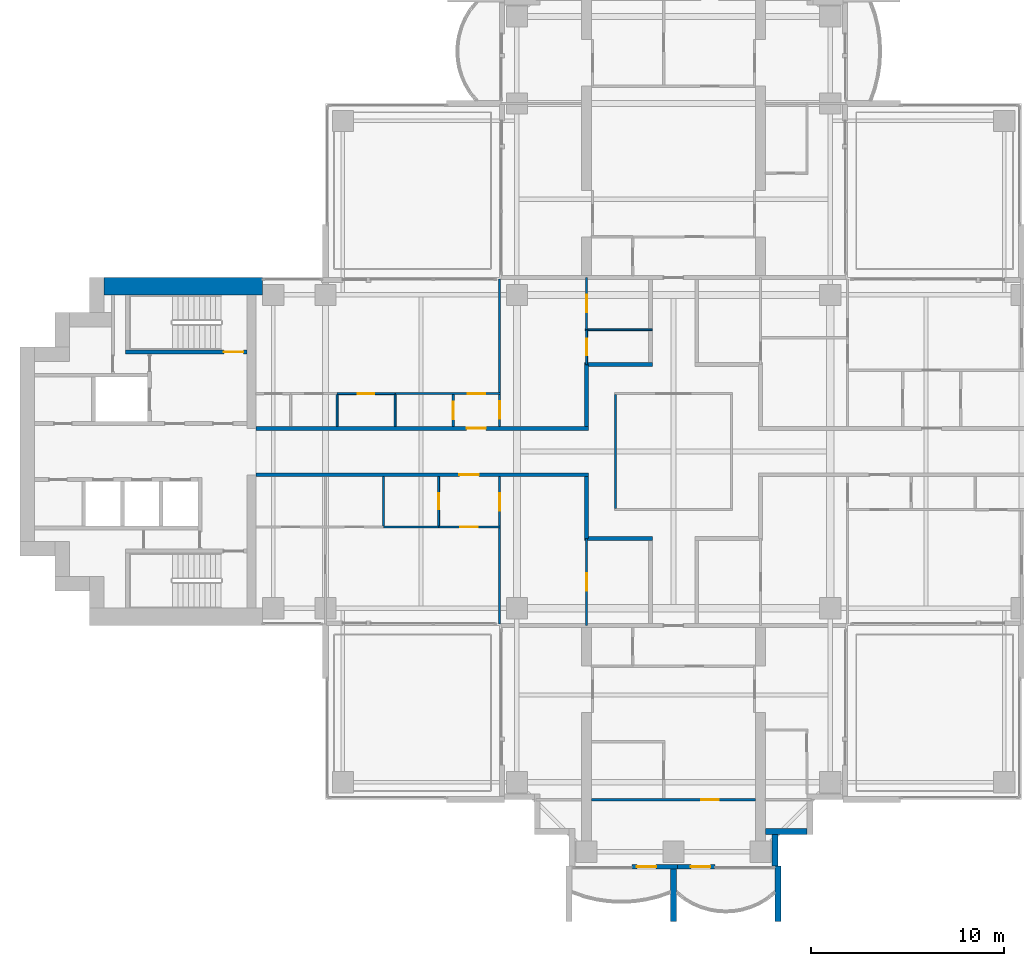
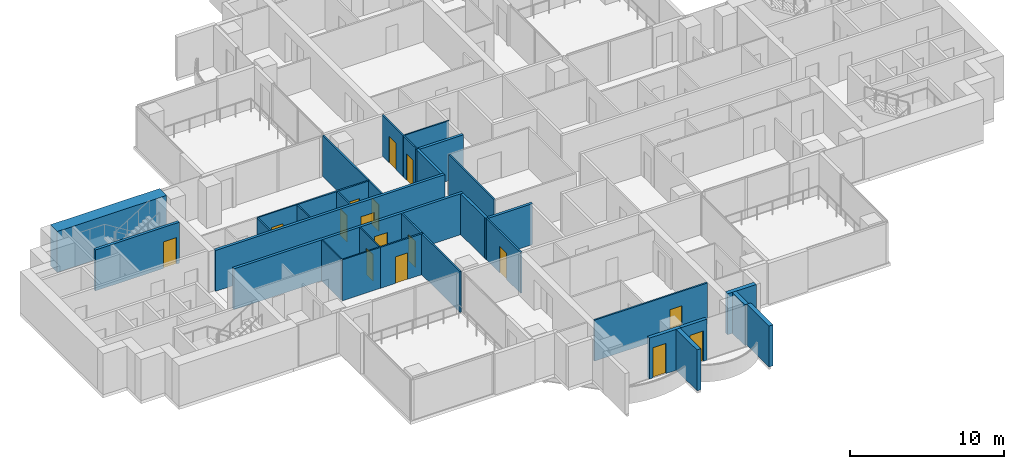
# One storey, part 10 of 18: 31 walls, 16 doors, 16 openings.
"""IFC4 building model written with IfcOpenShell, lengths in metres."""

from ifc_helpers import new_model, si_unit, direction, frame, frame_2d, origin, place, context, subcontext, project, spatial, rectangle, extrude, material, layer, layer_set, type_object, element, fill, save


model = new_model("IFC4")

# Units and contexts
model_context = context("Model", 3, precision=1e-05, world=origin(), true_north=direction((0.0, 1.0)))
body_context = subcontext(model_context, "Body", "Model", "MODEL_VIEW")
ifc_project = project(units=[si_unit("LENGTHUNIT", "METRE"), si_unit("AREAUNIT", "SQUARE_METRE"), si_unit("VOLUMEUNIT", "CUBIC_METRE"), si_unit("PLANEANGLEUNIT", "RADIAN"), si_unit("MASSUNIT", "GRAM", prefix="KILO")], contexts=[model_context])

# Site, building, storey
site_placement = place(None, origin())
site = spatial("IfcSite", under=ifc_project, at=site_placement, CompositionType="ELEMENT")
building_placement = place(site_placement, origin())
building = spatial("IfcBuilding", under=site, at=building_placement, Name="Perihelion Cross Residences", CompositionType="ELEMENT")
storey_placement = place(building_placement, frame((0.0, 0.0, 123.39990234375)))
storey = spatial("IfcBuildingStorey", under=building, at=storey_placement, Name="L29", CompositionType="ELEMENT", Elevation=123.39990234375)

# Wall, opening, door
ifc_material_1 = material(Name="Plasterboard partition")
ifc_layer_1 = layer(ifc_material_1, 0.199951171875)
ifc_layer_set_1 = layer_set([ifc_layer_1], Name="Apartment separation wall 200")
wall_type_1 = type_object("IfcWallType", Name="Apartment separation wall 200", PredefinedType="PARTITIONING", material=ifc_layer_set_1)
wall_1_placement = place(storey_placement, frame((-21.60009765625, 1.199951171875, 0.0), z_axis=(0.0, 0.0, 1.0), x_axis=(1.0, 0.0, 0.0)))
wall_1 = element("IfcWall", 1, at=wall_1_placement, inside=storey, type_object=wall_type_1, Name="Partition L29 W013", PredefinedType="PARTITIONING", context=body_context, shape_type="SweptSolid", body=[
    extrude(rectangle(XDim=17.2001953125, YDim=0.199951171875, at=frame_2d((8.60009765625, 0.0))), origin(), (0.0, 0.0, 1.0), 3.25),
])
opening_1_placement = place(wall_1_placement, frame((10.89990234375, 0.0, 0.0)))
opening_1 = element("IfcOpeningElement", 2, at=opening_1_placement, cuts=wall_1, Name="Opening L29.A47", PredefinedType="OPENING", context=body_context, shape_type="SweptSolid", body=[
    extrude(rectangle(XDim=1.0, YDim=2.10009765625, at=frame_2d((0.5, 1.050048828125))), frame((0.0, 0.10986328125, 0.0), z_axis=(0.0, -1.0, 0.0), x_axis=(1.0, 0.0, 0.0)), (0.0, 0.0, 1.0), 0.219970703125),
])
ifc_material_2 = material(Name="Timber door leaf", Category="wood")
door_type_1 = type_object("IfcDoorType", Name="Flat entrance door 1000 x 2100", OperationType="SINGLE_SWING_LEFT", PredefinedType="DOOR", material=ifc_material_2)
door_1_placement = place(opening_1_placement, origin())
door_1 = element("IfcDoor", 3, at=door_1_placement, inside=storey, type_object=door_type_1, Name="Door L29.A47", OperationType="SINGLE_SWING_LEFT", OverallHeight=2.10009765625, OverallWidth=1.0, PredefinedType="DOOR", context=body_context, shape_type="SweptSolid", body=[
    extrude(rectangle(XDim=1.0, YDim=2.10009765625, at=frame_2d((0.5, 1.050048828125))), frame((0.0, 0.02490234375, 0.0), z_axis=(0.0, -1.0, 0.0), x_axis=(1.0, 0.0, 0.0)), (0.0, 0.0, 1.0), 0.050048828125),
])
fill(opening_1, door_1)

# Walls
wall_2_placement = place(storey_placement, frame((-4.5, 1.300048828125, 0.0), z_axis=(0.0, 0.0, 1.0), x_axis=(0.0, 1.0, 0.0)))
element("IfcWall", 4, at=wall_2_placement, inside=storey, type_object=wall_type_1, Name="Partition L29 W014", PredefinedType="PARTITIONING", context=body_context, shape_type="SweptSolid", body=[
    extrude(rectangle(XDim=3.199951171875, YDim=0.199951171875, at=frame_2d((1.60009765625, 0.0))), origin(), (0.0, 0.0, 1.0), 3.25),
])
wall_3_placement = place(storey_placement, frame((-4.60009765625, 4.5, 0.0), z_axis=(0.0, 0.0, 1.0), x_axis=(1.0, 0.0, 0.0)))
element("IfcWall", 5, at=wall_3_placement, inside=storey, type_object=wall_type_1, Name="Partition L29 W015", PredefinedType="PARTITIONING", context=body_context, shape_type="SweptSolid", body=[
    extrude(rectangle(XDim=3.5, YDim=0.199951171875, at=frame_2d((1.75, 0.0))), origin(), (0.0, 0.0, 1.0), 3.25),
])

# Wall, opening, door
wall_4_placement = place(storey_placement, frame((-4.39990234375, -1.199951171875, 0.0), z_axis=(0.0, 0.0, 1.0), x_axis=(-1.0, 0.0, 0.0)))
wall_4 = element("IfcWall", 6, at=wall_4_placement, inside=storey, type_object=wall_type_1, Name="Partition L29 W017", PredefinedType="PARTITIONING", context=body_context, shape_type="SweptSolid", body=[
    extrude(rectangle(XDim=17.2001953125, YDim=0.199951171875, at=frame_2d((8.60009765625, 0.0))), origin(), (0.0, 0.0, 1.0), 3.25),
])
opening_2_placement = place(wall_4_placement, frame((5.675048828125, 0.0, 0.0)))
opening_2 = element("IfcOpeningElement", 7, at=opening_2_placement, cuts=wall_4, Name="Opening L29.A48", PredefinedType="OPENING", context=body_context, shape_type="SweptSolid", body=[
    extrude(rectangle(XDim=1.0, YDim=2.10009765625, at=frame_2d((0.5, 1.050048828125))), frame((0.0, 0.10986328125, 0.0), z_axis=(0.0, -1.0, 0.0), x_axis=(1.0, 0.0, 0.0)), (0.0, 0.0, 1.0), 0.219970703125),
])
door_2_placement = place(opening_2_placement, origin())
door_2 = element("IfcDoor", 8, at=door_2_placement, inside=storey, type_object=door_type_1, Name="Door L29.A48", OperationType="SINGLE_SWING_LEFT", OverallHeight=2.10009765625, OverallWidth=1.0, PredefinedType="DOOR", context=body_context, shape_type="SweptSolid", body=[
    extrude(rectangle(XDim=1.0, YDim=2.10009765625, at=frame_2d((0.5, 1.050048828125))), frame((0.0, 0.02490234375, 0.0), z_axis=(0.0, -1.0, 0.0), x_axis=(1.0, 0.0, 0.0)), (0.0, 0.0, 1.0), 0.050048828125),
])
fill(opening_2, door_2)

# Walls
wall_5_placement = place(storey_placement, frame((-4.5, -4.5, 0.0), z_axis=(0.0, 0.0, 1.0), x_axis=(0.0, 1.0, 0.0)))
element("IfcWall", 9, at=wall_5_placement, inside=storey, type_object=wall_type_1, Name="Partition L29 W018", PredefinedType="PARTITIONING", context=body_context, shape_type="SweptSolid", body=[
    extrude(rectangle(XDim=3.199951171875, YDim=0.199951171875, at=frame_2d((1.60009765625, 0.0))), origin(), (0.0, 0.0, 1.0), 3.25),
])
wall_6_placement = place(storey_placement, frame((-1.10009765625, -4.5, 0.0), z_axis=(0.0, 0.0, 1.0), x_axis=(-1.0, 0.0, 0.0)))
element("IfcWall", 10, at=wall_6_placement, inside=storey, type_object=wall_type_1, Name="Partition L29 W020", PredefinedType="PARTITIONING", context=body_context, shape_type="SweptSolid", body=[
    extrude(rectangle(XDim=3.5, YDim=0.199951171875, at=frame_2d((1.75, 0.0))), origin(), (0.0, 0.0, 1.0), 3.25),
])

# Wall, opening, door
ifc_material_3 = material(Name="Concrete C30/37, bronze-clad", Category="concrete")
ifc_layer_2 = layer(ifc_material_3, 0.25)
ifc_layer_set_2 = layer_set([ifc_layer_2], Name="Bronze-clad pier wall 250")
wall_type_2 = type_object("IfcWallType", Name="Bronze-clad pier wall 250", PredefinedType="SOLIDWALL", material=ifc_layer_set_2)
wall_7_placement = place(storey_placement, frame((-2.14990234375, -21.47509765625, 0.0), z_axis=(0.0, 0.0, 1.0), x_axis=(1.0, 0.0, 0.0)))
wall_7 = element("IfcWall", 11, at=wall_7_placement, inside=storey, type_object=wall_type_2, Name="Wall FW1 L29 south tip south bay 1 pier", PredefinedType="SOLIDWALL", context=body_context, shape_type="SweptSolid", body=[
    extrude(rectangle(XDim=2.349853515625, YDim=0.25, at=frame_2d((1.1748046875, 0.0))), origin(), (0.0, 0.0, 1.0), 3.25),
])
opening_3_placement = place(wall_7_placement, frame((0.25, 0.0, 0.0)))
opening_3 = element("IfcOpeningElement", 12, at=opening_3_placement, cuts=wall_7, Name="Opening L29.E11", PredefinedType="OPENING", context=body_context, shape_type="SweptSolid", body=[
    extrude(rectangle(XDim=1.0, YDim=2.39990234375, at=frame_2d((0.5, 1.199951171875))), frame((0.0, 0.135009765625, 0.0), z_axis=(0.0, -1.0, 0.0), x_axis=(1.0, 0.0, 0.0)), (0.0, 0.0, 1.0), 0.27001953125),
])
ifc_material_4 = material(Name="Bronze anodised aluminium, glazed", Category="aluminium")
door_type_2 = type_object("IfcDoorType", Name="Balcony door 1000 x 2400", OperationType="NOTDEFINED", PredefinedType="DOOR", material=ifc_material_4)
door_3_placement = place(opening_3_placement, origin())
door_3 = element("IfcDoor", 13, at=door_3_placement, inside=storey, type_object=door_type_2, Name="Door L29.E11 south tip south bay 1", OperationType="SINGLE_SWING_RIGHT", OverallHeight=2.39990234375, OverallWidth=1.0, PredefinedType="DOOR", context=body_context, shape_type="SweptSolid", body=[
    extrude(rectangle(XDim=1.0, YDim=2.39990234375, at=frame_2d((0.5, 1.199951171875))), frame((0.0, 0.02490234375, 0.0), z_axis=(0.0, -1.0, 0.0), x_axis=(1.0, 0.0, 0.0)), (0.0, 0.0, 1.0), 0.050048828125),
])
fill(opening_3, door_3)

wall_8_placement = place(storey_placement, frame((0.199951171875, -21.47509765625, 0.0), z_axis=(0.0, 0.0, 1.0), x_axis=(1.0, 0.0, 0.0)))
wall_8 = element("IfcWall", 14, at=wall_8_placement, inside=storey, type_object=wall_type_2, Name="Wall FW1 L29 south tip south bay 2 pier", PredefinedType="SOLIDWALL", context=body_context, shape_type="SweptSolid", body=[
    extrude(rectangle(XDim=1.949951171875, YDim=0.25, at=frame_2d((0.97509765625, 0.0))), origin(), (0.0, 0.0, 1.0), 3.25),
])
opening_4_placement = place(wall_8_placement, frame((0.699951171875, 0.0, 0.0)))
opening_4 = element("IfcOpeningElement", 15, at=opening_4_placement, cuts=wall_8, Name="Opening L29.E12", PredefinedType="OPENING", context=body_context, shape_type="SweptSolid", body=[
    extrude(rectangle(XDim=1.0, YDim=2.39990234375, at=frame_2d((0.5, 1.199951171875))), frame((0.0, 0.135009765625, 0.0), z_axis=(0.0, -1.0, 0.0), x_axis=(1.0, 0.0, 0.0)), (0.0, 0.0, 1.0), 0.27001953125),
])
door_4_placement = place(opening_4_placement, origin())
door_4 = element("IfcDoor", 16, at=door_4_placement, inside=storey, type_object=door_type_2, Name="Door L29.E12 south tip south bay 2", OperationType="SINGLE_SWING_LEFT", OverallHeight=2.39990234375, OverallWidth=1.0, PredefinedType="DOOR", context=body_context, shape_type="SweptSolid", body=[
    extrude(rectangle(XDim=1.0, YDim=2.39990234375, at=frame_2d((0.5, 1.199951171875))), frame((0.0, 0.02490234375, 0.0), z_axis=(0.0, -1.0, 0.0), x_axis=(1.0, 0.0, 0.0)), (0.0, 0.0, 1.0), 0.050048828125),
])
fill(opening_4, door_4)

# Walls
ifc_material_5 = material(Name="Concrete C30/37, bronze-clad", Category="concrete")
ifc_layer_3 = layer(ifc_material_5, 0.300048828125)
ifc_layer_set_3 = layer_set([ifc_layer_3], Name="Bronze-clad serration wall 300")
wall_type_3 = type_object("IfcWallType", Name="Bronze-clad serration wall 300", PredefinedType="SOLIDWALL", material=ifc_layer_set_3)
wall_9_placement = place(storey_placement, frame((5.25, -21.419921875, 0.0), z_axis=(0.0, 0.0, 1.0), x_axis=(0.0, 1.0, 0.0)))
element("IfcWall", 17, at=wall_9_placement, inside=storey, type_object=wall_type_3, Name="Wall SR1 L29 south corner south-east 1", PredefinedType="SOLIDWALL", context=body_context, shape_type="SweptSolid", body=[
    extrude(rectangle(XDim=1.619873046875, YDim=0.300048828125, at=frame_2d((0.81005859375, 0.0))), origin(), (0.0, 0.0, 1.0), 3.25),
])
wall_10_placement = place(storey_placement, frame((4.75, -19.64990234375, 0.0), z_axis=(0.0, 0.0, 1.0), x_axis=(1.0, 0.0, 0.0)))
element("IfcWall", 18, at=wall_10_placement, inside=storey, type_object=wall_type_3, Name="Wall SR1 L29 south corner south-east 2", PredefinedType="SOLIDWALL", context=body_context, shape_type="SweptSolid", body=[
    extrude(rectangle(XDim=2.14990234375, YDim=0.300048828125, at=frame_2d((1.074951171875, 0.0))), origin(), (0.0, 0.0, 1.0), 3.25),
])
ifc_material_6 = material(Name="Concrete C60/75", Category="concrete")
ifc_layer_4 = layer(ifc_material_6, 0.89990234375)
ifc_layer_set_4 = layer_set([ifc_layer_4], Name="Core wall, outer 900")
wall_type_4 = type_object("IfcWallType", Name="Core wall, outer 900", PredefinedType="SHEAR", material=ifc_layer_set_4)
wall_11_placement = place(storey_placement, frame((-29.449951171875, 8.550048828125, 0.0), z_axis=(0.0, 0.0, 1.0), x_axis=(1.0, 0.0, 0.0)))
element("IfcWall", 19, at=wall_11_placement, inside=storey, type_object=wall_type_4, Name="West core core wall, outer", PredefinedType="SHEAR", context=body_context, shape_type="SweptSolid", body=[
    extrude(rectangle(XDim=8.199951171875, YDim=0.89990234375, at=frame_2d((4.10009765625, 0.0))), origin(), (0.0, 0.0, 1.0), 3.25),
])
ifc_material_7 = material(Name="Plasterboard partition")
ifc_layer_5 = layer(ifc_material_7, 0.1201171875)
ifc_layer_set_5 = layer_set([ifc_layer_5], Name="Partition wall 120")
wall_type_5 = type_object("IfcWallType", Name="Partition wall 120", PredefinedType="PARTITIONING", material=ifc_layer_set_5)
wall_12_placement = place(storey_placement, frame((-3.0, 2.93994140625, 0.0), z_axis=(0.0, 0.0, 1.0), x_axis=(0.0, -1.0, 0.0)))
element("IfcWall", 20, at=wall_12_placement, inside=storey, type_object=wall_type_5, Name="Partition L29 W004", PredefinedType="PARTITIONING", context=body_context, shape_type="SweptSolid", body=[
    extrude(rectangle(XDim=5.8798828125, YDim=0.1201171875, at=frame_2d((2.93994140625, 0.0))), origin(), (0.0, 0.0, 1.0), 3.25),
])

# Wall, opening, door
wall_13_placement = place(storey_placement, frame((-11.39990234375, 1.300048828125, 0.0), z_axis=(0.0, 0.0, 1.0), x_axis=(0.0, 1.0, 0.0)))
wall_13 = element("IfcWall", 21, at=wall_13_placement, inside=storey, type_object=wall_type_5, Name="Partition L29 W041", PredefinedType="PARTITIONING", context=body_context, shape_type="SweptSolid", body=[
    extrude(rectangle(XDim=1.639892578125, YDim=0.1201171875, at=frame_2d((0.81982421875, 0.0))), origin(), (0.0, 0.0, 1.0), 3.25),
])
opening_5_placement = place(wall_13_placement, frame((0.3701171875, 0.0, 0.0)))
opening_5 = element("IfcOpeningElement", 22, at=opening_5_placement, cuts=wall_13, Name="Opening L29.A18", PredefinedType="OPENING", context=body_context, shape_type="SweptSolid", body=[
    extrude(rectangle(XDim=0.89990234375, YDim=2.10009765625, at=frame_2d((0.449951171875, 1.050048828125))), frame((0.0, 0.070068359375, 0.0), z_axis=(0.0, -1.0, 0.0), x_axis=(1.0, 0.0, 0.0)), (0.0, 0.0, 1.0), 0.14013671875),
])
ifc_material_8 = material(Name="Timber door leaf", Category="wood")
door_type_3 = type_object("IfcDoorType", Name="Interior room door 900 x 2100", OperationType="SINGLE_SWING_LEFT", PredefinedType="DOOR", material=ifc_material_8)
door_5_placement = place(opening_5_placement, origin())
door_5 = element("IfcDoor", 23, at=door_5_placement, inside=storey, type_object=door_type_3, Name="Door L29.A18", OperationType="SINGLE_SWING_RIGHT", OverallHeight=2.10009765625, OverallWidth=0.89990234375, PredefinedType="DOOR", context=body_context, shape_type="SweptSolid", body=[
    extrude(rectangle(XDim=0.89990234375, YDim=2.10009765625, at=frame_2d((0.449951171875, 1.050048828125))), frame((0.0, 0.02490234375, 0.0), z_axis=(0.0, -1.0, 0.0), x_axis=(1.0, 0.0, 0.0)), (0.0, 0.0, 1.0), 0.050048828125),
])
fill(opening_5, door_5)

wall_14_placement = place(storey_placement, frame((-14.39990234375, 3.0, 0.0), z_axis=(0.0, 0.0, 1.0), x_axis=(1.0, 0.0, 0.0)))
wall_14 = element("IfcWall", 24, at=wall_14_placement, inside=storey, type_object=wall_type_5, Name="Partition L29 W042", PredefinedType="PARTITIONING", context=body_context, shape_type="SweptSolid", body=[
    extrude(rectangle(XDim=5.4599609375, YDim=0.1201171875, at=frame_2d((2.72998046875, 0.0))), origin(), (0.0, 0.0, 1.0), 3.25),
])
opening_6_placement = place(wall_14_placement, frame((3.75, 0.0, 0.0)))
opening_6 = element("IfcOpeningElement", 25, at=opening_6_placement, cuts=wall_14, Name="Opening L29.A23", PredefinedType="OPENING", context=body_context, shape_type="SweptSolid", body=[
    extrude(rectangle(XDim=0.89990234375, YDim=2.10009765625, at=frame_2d((0.449951171875, 1.050048828125))), frame((0.0, 0.070068359375, 0.0), z_axis=(0.0, -1.0, 0.0), x_axis=(1.0, 0.0, 0.0)), (0.0, 0.0, 1.0), 0.14013671875),
])
door_6_placement = place(opening_6_placement, origin())
door_6 = element("IfcDoor", 26, at=door_6_placement, inside=storey, type_object=door_type_3, Name="Door L29.A23", OperationType="SINGLE_SWING_LEFT", OverallHeight=2.10009765625, OverallWidth=0.89990234375, PredefinedType="DOOR", context=body_context, shape_type="SweptSolid", body=[
    extrude(rectangle(XDim=0.89990234375, YDim=2.10009765625, at=frame_2d((0.449951171875, 1.050048828125))), frame((0.0, 0.02490234375, 0.0), z_axis=(0.0, -1.0, 0.0), x_axis=(1.0, 0.0, 0.0)), (0.0, 0.0, 1.0), 0.050048828125),
])
fill(opening_6, door_6)

wall_15_placement = place(storey_placement, frame((-9.0, 8.919921875, 0.0), z_axis=(0.0, 0.0, 1.0), x_axis=(0.0, -1.0, 0.0)))
wall_15 = element("IfcWall", 27, at=wall_15_placement, inside=storey, type_object=wall_type_5, Name="Partition L29 W043", PredefinedType="PARTITIONING", context=body_context, shape_type="SweptSolid", body=[
    extrude(rectangle(XDim=7.619873046875, YDim=0.1201171875, at=frame_2d((3.81005859375, 0.0))), origin(), (0.0, 0.0, 1.0), 3.25),
])
opening_7_placement = place(wall_15_placement, frame((6.320068359375, 0.0, 0.0)))
opening_7 = element("IfcOpeningElement", 28, at=opening_7_placement, cuts=wall_15, Name="Opening L29.A19", PredefinedType="OPENING", context=body_context, shape_type="SweptSolid", body=[
    extrude(rectangle(XDim=0.89990234375, YDim=2.10009765625, at=frame_2d((0.449951171875, 1.050048828125))), frame((0.0, 0.070068359375, 0.0), z_axis=(0.0, -1.0, 0.0), x_axis=(1.0, 0.0, 0.0)), (0.0, 0.0, 1.0), 0.14013671875),
])
door_7_placement = place(opening_7_placement, origin())
door_7 = element("IfcDoor", 29, at=door_7_placement, inside=storey, type_object=door_type_3, Name="Door L29.A19", OperationType="SINGLE_SWING_LEFT", OverallHeight=2.10009765625, OverallWidth=0.89990234375, PredefinedType="DOOR", context=body_context, shape_type="SweptSolid", body=[
    extrude(rectangle(XDim=0.89990234375, YDim=2.10009765625, at=frame_2d((0.449951171875, 1.050048828125))), frame((0.0, 0.02490234375, 0.0), z_axis=(0.0, -1.0, 0.0), x_axis=(1.0, 0.0, 0.0)), (0.0, 0.0, 1.0), 0.050048828125),
])
fill(opening_7, door_7)

wall_16_placement = place(storey_placement, frame((-4.5, 9.0, 0.0), z_axis=(0.0, 0.0, 1.0), x_axis=(0.0, -1.0, 0.0)))
wall_16 = element("IfcWall", 30, at=wall_16_placement, inside=storey, type_object=wall_type_5, Name="Partition L29 W051", PredefinedType="PARTITIONING", context=body_context, shape_type="SweptSolid", body=[
    extrude(rectangle(XDim=2.699951171875, YDim=0.1201171875, at=frame_2d((1.35009765625, 0.0))), origin(), (0.0, 0.0, 1.0), 3.25),
])
opening_8_placement = place(wall_16_placement, frame((0.89990234375, 0.0, 0.0)))
opening_8 = element("IfcOpeningElement", 31, at=opening_8_placement, cuts=wall_16, Name="Opening L29.A20", PredefinedType="OPENING", context=body_context, shape_type="SweptSolid", body=[
    extrude(rectangle(XDim=0.89990234375, YDim=2.10009765625, at=frame_2d((0.449951171875, 1.050048828125))), frame((0.0, 0.070068359375, 0.0), z_axis=(0.0, -1.0, 0.0), x_axis=(1.0, 0.0, 0.0)), (0.0, 0.0, 1.0), 0.14013671875),
])
door_8_placement = place(opening_8_placement, origin())
door_8 = element("IfcDoor", 32, at=door_8_placement, inside=storey, type_object=door_type_3, Name="Door L29.A20", OperationType="SINGLE_SWING_LEFT", OverallHeight=2.10009765625, OverallWidth=0.89990234375, PredefinedType="DOOR", context=body_context, shape_type="SweptSolid", body=[
    extrude(rectangle(XDim=0.89990234375, YDim=2.10009765625, at=frame_2d((0.449951171875, 1.050048828125))), frame((0.0, 0.02490234375, 0.0), z_axis=(0.0, -1.0, 0.0), x_axis=(1.0, 0.0, 0.0)), (0.0, 0.0, 1.0), 0.050048828125),
])
fill(opening_8, door_8)

wall_17_placement = place(storey_placement, frame((-8.93994140625, -3.89990234375, 0.0), z_axis=(0.0, 0.0, 1.0), x_axis=(-1.0, 0.0, 0.0)))
wall_17 = element("IfcWall", 33, at=wall_17_placement, inside=storey, type_object=wall_type_5, Name="Partition L29 W054", PredefinedType="PARTITIONING", context=body_context, shape_type="SweptSolid", body=[
    extrude(rectangle(XDim=3.2099609375, YDim=0.1201171875, at=frame_2d((1.60498046875, 0.0))), origin(), (0.0, 0.0, 1.0), 3.25),
])
opening_9_placement = place(wall_17_placement, frame((1.18505859375, 0.0, 0.0)))
opening_9 = element("IfcOpeningElement", 34, at=opening_9_placement, cuts=wall_17, Name="Opening L29.A31", PredefinedType="OPENING", context=body_context, shape_type="SweptSolid", body=[
    extrude(rectangle(XDim=0.89990234375, YDim=2.10009765625, at=frame_2d((0.449951171875, 1.050048828125))), frame((0.0, 0.070068359375, 0.0), z_axis=(0.0, -1.0, 0.0), x_axis=(1.0, 0.0, 0.0)), (0.0, 0.0, 1.0), 0.14013671875),
])
door_9_placement = place(opening_9_placement, origin())
door_9 = element("IfcDoor", 35, at=door_9_placement, inside=storey, type_object=door_type_3, Name="Door L29.A31", OperationType="SINGLE_SWING_RIGHT", OverallHeight=2.10009765625, OverallWidth=0.89990234375, PredefinedType="DOOR", context=body_context, shape_type="SweptSolid", body=[
    extrude(rectangle(XDim=0.89990234375, YDim=2.10009765625, at=frame_2d((0.449951171875, 1.050048828125))), frame((0.0, 0.02490234375, 0.0), z_axis=(0.0, -1.0, 0.0), x_axis=(1.0, 0.0, 0.0)), (0.0, 0.0, 1.0), 0.050048828125),
])
fill(opening_9, door_9)

wall_18_placement = place(storey_placement, frame((-9.0, -1.300048828125, 0.0), z_axis=(0.0, 0.0, 1.0), x_axis=(0.0, -1.0, 0.0)))
wall_18 = element("IfcWall", 36, at=wall_18_placement, inside=storey, type_object=wall_type_5, Name="Partition L29 W055", PredefinedType="PARTITIONING", context=body_context, shape_type="SweptSolid", body=[
    extrude(rectangle(XDim=7.619873046875, YDim=0.1201171875, at=frame_2d((3.81005859375, 0.0))), origin(), (0.0, 0.0, 1.0), 3.25),
])
opening_10_placement = place(wall_18_placement, frame((0.85009765625, 0.0, 0.0)))
opening_10 = element("IfcOpeningElement", 37, at=opening_10_placement, cuts=wall_18, Name="Opening L29.A27", PredefinedType="OPENING", context=body_context, shape_type="SweptSolid", body=[
    extrude(rectangle(XDim=0.89990234375, YDim=2.10009765625, at=frame_2d((0.449951171875, 1.050048828125))), frame((0.0, 0.070068359375, 0.0), z_axis=(0.0, -1.0, 0.0), x_axis=(1.0, 0.0, 0.0)), (0.0, 0.0, 1.0), 0.14013671875),
])
door_10_placement = place(opening_10_placement, origin())
door_10 = element("IfcDoor", 38, at=door_10_placement, inside=storey, type_object=door_type_3, Name="Door L29.A27", OperationType="SINGLE_SWING_LEFT", OverallHeight=2.10009765625, OverallWidth=0.89990234375, PredefinedType="DOOR", context=body_context, shape_type="SweptSolid", body=[
    extrude(rectangle(XDim=0.89990234375, YDim=2.10009765625, at=frame_2d((0.449951171875, 1.050048828125))), frame((0.0, 0.02490234375, 0.0), z_axis=(0.0, -1.0, 0.0), x_axis=(1.0, 0.0, 0.0)), (0.0, 0.0, 1.0), 0.050048828125),
])
fill(opening_10, door_10)

wall_19_placement = place(storey_placement, frame((-4.5, -4.5, 0.0), z_axis=(0.0, 0.0, 1.0), x_axis=(0.0, -1.0, 0.0)))
wall_19 = element("IfcWall", 39, at=wall_19_placement, inside=storey, type_object=wall_type_5, Name="Partition L29 W060", PredefinedType="PARTITIONING", context=body_context, shape_type="SweptSolid", body=[
    extrude(rectangle(XDim=4.5, YDim=0.1201171875, at=frame_2d((2.25, 0.0))), origin(), (0.0, 0.0, 1.0), 3.25),
])
opening_11_placement = place(wall_19_placement, frame((1.800048828125, 0.0, 0.0)))
opening_11 = element("IfcOpeningElement", 40, at=opening_11_placement, cuts=wall_19, Name="Opening L29.A28", PredefinedType="OPENING", context=body_context, shape_type="SweptSolid", body=[
    extrude(rectangle(XDim=0.89990234375, YDim=2.10009765625, at=frame_2d((0.449951171875, 1.050048828125))), frame((0.0, 0.070068359375, 0.0), z_axis=(0.0, -1.0, 0.0), x_axis=(1.0, 0.0, 0.0)), (0.0, 0.0, 1.0), 0.14013671875),
])
door_11_placement = place(opening_11_placement, origin())
door_11 = element("IfcDoor", 41, at=door_11_placement, inside=storey, type_object=door_type_3, Name="Door L29.A28", OperationType="SINGLE_SWING_RIGHT", OverallHeight=2.10009765625, OverallWidth=0.89990234375, PredefinedType="DOOR", context=body_context, shape_type="SweptSolid", body=[
    extrude(rectangle(XDim=0.89990234375, YDim=2.10009765625, at=frame_2d((0.449951171875, 1.050048828125))), frame((0.0, 0.02490234375, 0.0), z_axis=(0.0, -1.0, 0.0), x_axis=(1.0, 0.0, 0.0)), (0.0, 0.0, 1.0), 0.050048828125),
])
fill(opening_11, door_11)

wall_20_placement = place(storey_placement, frame((4.25, -18.0, 0.0), z_axis=(0.0, 0.0, 1.0), x_axis=(-1.0, 0.0, 0.0)))
wall_20 = element("IfcWall", 42, at=wall_20_placement, inside=storey, type_object=wall_type_5, Name="Partition L29 W079", PredefinedType="PARTITIONING", context=body_context, shape_type="SweptSolid", body=[
    extrude(rectangle(XDim=8.5, YDim=0.1201171875, at=frame_2d((4.25, 0.0))), origin(), (0.0, 0.0, 1.0), 3.25),
])
opening_12_placement = place(wall_20_placement, frame((1.925048828125, 0.0, 0.0)))
opening_12 = element("IfcOpeningElement", 43, at=opening_12_placement, cuts=wall_20, Name="Opening L29.A43", PredefinedType="OPENING", context=body_context, shape_type="SweptSolid", body=[
    extrude(rectangle(XDim=0.89990234375, YDim=2.10009765625, at=frame_2d((0.449951171875, 1.050048828125))), frame((0.0, 0.070068359375, 0.0), z_axis=(0.0, -1.0, 0.0), x_axis=(1.0, 0.0, 0.0)), (0.0, 0.0, 1.0), 0.14013671875),
])
door_12_placement = place(opening_12_placement, origin())
door_12 = element("IfcDoor", 44, at=door_12_placement, inside=storey, type_object=door_type_3, Name="Door L29.A43", OperationType="SINGLE_SWING_RIGHT", OverallHeight=2.10009765625, OverallWidth=0.89990234375, PredefinedType="DOOR", context=body_context, shape_type="SweptSolid", body=[
    extrude(rectangle(XDim=0.89990234375, YDim=2.10009765625, at=frame_2d((0.449951171875, 1.050048828125))), frame((0.0, 0.02490234375, 0.0), z_axis=(0.0, -1.0, 0.0), x_axis=(1.0, 0.0, 0.0)), (0.0, 0.0, 1.0), 0.050048828125),
])
fill(opening_12, door_12)

# Walls
ifc_material_9 = material(Name="Precast concrete C50/60", Category="concrete")
ifc_layer_6 = layer(ifc_material_9, 0.300048828125)
ifc_layer_set_6 = layer_set([ifc_layer_6], Name="Precast concrete C50/60 blade wall 300")
wall_type_6 = type_object("IfcWallType", Name="Precast concrete C50/60 blade wall 300", PredefinedType="SOLIDWALL", material=ifc_layer_set_6)
wall_21_placement = place(storey_placement, frame((0.0, -21.60009765625, 0.0), z_axis=(0.0, 0.0, 1.0), x_axis=(0.0, -1.0, 0.0)))
element("IfcWall", 45, at=wall_21_placement, inside=storey, type_object=wall_type_6, Name="Wall BL1 L29 no. 8", PredefinedType="SOLIDWALL", context=body_context, shape_type="SweptSolid", body=[
    extrude(rectangle(XDim=2.699951171875, YDim=0.300048828125, at=frame_2d((1.35009765625, 0.0))), origin(), (0.0, 0.0, 1.0), 3.25),
])
wall_22_placement = place(storey_placement, frame((5.39990234375, -21.419921875, 0.0), z_axis=(0.0, 0.0, 1.0), x_axis=(0.0, -1.0, 0.0)))
element("IfcWall", 46, at=wall_22_placement, inside=storey, type_object=wall_type_6, Name="Wall BL1 L29 no. 12", PredefinedType="SOLIDWALL", context=body_context, shape_type="SweptSolid", body=[
    extrude(rectangle(XDim=2.880126953125, YDim=0.300048828125, at=frame_2d((1.43994140625, 0.0))), origin(), (0.0, 0.0, 1.0), 3.25),
])

# Wall, opening, door
ifc_material_10 = material(Name="Concrete C50/60", Category="concrete")
ifc_layer_7 = layer(ifc_material_10, 0.199951171875)
ifc_layer_set_7 = layer_set([ifc_layer_7], Name="Stair wall 200")
wall_type_7 = type_object("IfcWallType", Name="Stair wall 200", PredefinedType="SOLIDWALL", material=ifc_layer_set_7)
wall_23_placement = place(storey_placement, frame((-28.35009765625, 5.14990234375, 0.0), z_axis=(0.0, 0.0, 1.0), x_axis=(1.0, 0.0, 0.0)))
wall_23 = element("IfcWall", 47, at=wall_23_placement, inside=storey, type_object=wall_type_7, Name="West core stair wall", PredefinedType="SOLIDWALL", context=body_context, shape_type="SweptSolid", body=[
    extrude(rectangle(XDim=6.300048828125, YDim=0.199951171875, at=frame_2d((3.14990234375, 0.0))), origin(), (0.0, 0.0, 1.0), 3.25),
])
opening_13_placement = place(wall_23_placement, frame((5.10009765625, 0.0, 0.0)))
opening_13 = element("IfcOpeningElement", 48, at=opening_13_placement, cuts=wall_23, Name="Opening L29.C20", PredefinedType="OPENING", context=body_context, shape_type="SweptSolid", body=[
    extrude(rectangle(XDim=1.0, YDim=2.10009765625, at=frame_2d((0.5, 1.050048828125))), frame((0.0, 0.10986328125, 0.0), z_axis=(0.0, -1.0, 0.0), x_axis=(1.0, 0.0, 0.0)), (0.0, 0.0, 1.0), 0.219970703125),
])
ifc_material_11 = material(Name="Steel, powder coated", Category="steel")
door_type_4 = type_object("IfcDoorType", Name="Stair door 1000", OperationType="SINGLE_SWING_LEFT", PredefinedType="DOOR", material=ifc_material_11)
door_13_placement = place(opening_13_placement, origin())
door_13 = element("IfcDoor", 49, at=door_13_placement, inside=storey, type_object=door_type_4, Name="West core stair door", OperationType="SINGLE_SWING_LEFT", OverallHeight=2.10009765625, OverallWidth=1.0, PredefinedType="DOOR", context=body_context, shape_type="SweptSolid", body=[
    extrude(rectangle(XDim=1.0, YDim=2.10009765625, at=frame_2d((0.5, 1.050048828125))), frame((0.0, 0.02490234375, 0.0), z_axis=(0.0, -1.0, 0.0), x_axis=(1.0, 0.0, 0.0)), (0.0, 0.0, 1.0), 0.050048828125),
])
fill(opening_13, door_13)

# Walls
ifc_material_12 = material(Name="Plasterboard partition")
ifc_layer_8 = layer(ifc_material_12, 0.10009765625)
ifc_layer_set_8 = layer_set([ifc_layer_8], Name="Wet room wall 100")
wall_type_8 = type_object("IfcWallType", Name="Wet room wall 100", PredefinedType="PARTITIONING", material=ifc_layer_set_8)
for number, where, z_axis, x_axis, name in (
    (50, (-14.39990234375, 1.300048828125, 0.0), (0.0, 0.0, 1.0), (0.0, 1.0, 0.0), "Partition L29 W044"),
    (51, (-17.39990234375, 1.300048828125, 0.0), (0.0, 0.0, 1.0), (0.0, 1.0, 0.0), "Partition L29 W045"),
):
    element("IfcWall", number, at=place(storey_placement, frame(where, z_axis=z_axis, x_axis=x_axis)), inside=storey, type_object=wall_type_8, Name=name, PredefinedType="PARTITIONING", context=body_context, shape_type="SweptSolid", body=[
        extrude(rectangle(XDim=1.639892578125, YDim=0.10009765625, at=frame_2d((0.81982421875, 0.0))), origin(), (0.0, 0.0, 1.0), 3.25),
    ])

# Wall, opening, door
wall_24_placement = place(storey_placement, frame((-17.39990234375, 3.0, 0.0), z_axis=(0.0, 0.0, 1.0), x_axis=(1.0, 0.0, 0.0)))
wall_24 = element("IfcWall", 52, at=wall_24_placement, inside=storey, type_object=wall_type_8, Name="Partition L29 W046", PredefinedType="PARTITIONING", context=body_context, shape_type="SweptSolid", body=[
    extrude(rectangle(XDim=3.0, YDim=0.10009765625, at=frame_2d((1.5, 0.0))), origin(), (0.0, 0.0, 1.0), 3.25),
])
opening_14_placement = place(wall_24_placement, frame((1.074951171875, 0.0, 0.0)))
opening_14 = element("IfcOpeningElement", 53, at=opening_14_placement, cuts=wall_24, Name="Opening L29.A17", PredefinedType="OPENING", context=body_context, shape_type="SweptSolid", body=[
    extrude(rectangle(XDim=0.85009765625, YDim=2.10009765625, at=frame_2d((0.425048828125, 1.050048828125))), frame((0.0, 0.06005859375, 0.0), z_axis=(0.0, -1.0, 0.0), x_axis=(1.0, 0.0, 0.0)), (0.0, 0.0, 1.0), 0.1201171875),
])
ifc_material_13 = material(Name="Timber door leaf", Category="wood")
door_type_5 = type_object("IfcDoorType", Name="Interior bathroom door 850 x 2100", OperationType="SINGLE_SWING_LEFT", PredefinedType="DOOR", material=ifc_material_13)
door_14_placement = place(opening_14_placement, origin())
door_14 = element("IfcDoor", 54, at=door_14_placement, inside=storey, type_object=door_type_5, Name="Door L29.A17", OperationType="SINGLE_SWING_LEFT", OverallHeight=2.10009765625, OverallWidth=0.85009765625, PredefinedType="DOOR", context=body_context, shape_type="SweptSolid", body=[
    extrude(rectangle(XDim=0.85009765625, YDim=2.10009765625, at=frame_2d((0.425048828125, 1.050048828125))), frame((0.0, 0.02490234375, 0.0), z_axis=(0.0, -1.0, 0.0), x_axis=(1.0, 0.0, 0.0)), (0.0, 0.0, 1.0), 0.050048828125),
])
fill(opening_14, door_14)

wall_25_placement = place(storey_placement, frame((-4.5, 6.300048828125, 0.0), z_axis=(0.0, 0.0, 1.0), x_axis=(0.0, -1.0, 0.0)))
wall_25 = element("IfcWall", 55, at=wall_25_placement, inside=storey, type_object=wall_type_8, Name="Partition L29 W050", PredefinedType="PARTITIONING", context=body_context, shape_type="SweptSolid", body=[
    extrude(rectangle(XDim=1.800048828125, YDim=0.10009765625, at=frame_2d((0.89990234375, 0.0))), origin(), (0.0, 0.0, 1.0), 3.25),
])
opening_15_placement = place(wall_25_placement, frame((0.47509765625, 0.0, 0.0)))
opening_15 = element("IfcOpeningElement", 56, at=opening_15_placement, cuts=wall_25, Name="Opening L29.A21", PredefinedType="OPENING", context=body_context, shape_type="SweptSolid", body=[
    extrude(rectangle(XDim=0.85009765625, YDim=2.10009765625, at=frame_2d((0.425048828125, 1.050048828125))), frame((0.0, 0.06005859375, 0.0), z_axis=(0.0, -1.0, 0.0), x_axis=(1.0, 0.0, 0.0)), (0.0, 0.0, 1.0), 0.1201171875),
])
door_15_placement = place(opening_15_placement, origin())
door_15 = element("IfcDoor", 57, at=door_15_placement, inside=storey, type_object=door_type_5, Name="Door L29.A21", OperationType="SINGLE_SWING_RIGHT", OverallHeight=2.10009765625, OverallWidth=0.85009765625, PredefinedType="DOOR", context=body_context, shape_type="SweptSolid", body=[
    extrude(rectangle(XDim=0.85009765625, YDim=2.10009765625, at=frame_2d((0.425048828125, 1.050048828125))), frame((0.0, 0.02490234375, 0.0), z_axis=(0.0, -1.0, 0.0), x_axis=(1.0, 0.0, 0.0)), (0.0, 0.0, 1.0), 0.050048828125),
])
fill(opening_15, door_15)

# Wall
wall_26_placement = place(storey_placement, frame((-4.56005859375, 6.300048828125, 0.0), z_axis=(0.0, 0.0, 1.0), x_axis=(1.0, 0.0, 0.0)))
element("IfcWall", 58, at=wall_26_placement, inside=storey, type_object=wall_type_8, Name="Partition L29 W052", PredefinedType="PARTITIONING", context=body_context, shape_type="SweptSolid", body=[
    extrude(rectangle(XDim=3.4599609375, YDim=0.10009765625, at=frame_2d((1.72998046875, 0.0))), origin(), (0.0, 0.0, 1.0), 3.25),
])

# Wall, opening, door
wall_27_placement = place(storey_placement, frame((-12.14990234375, -3.840087890625, 0.0), z_axis=(0.0, 0.0, 1.0), x_axis=(0.0, 1.0, 0.0)))
wall_27 = element("IfcWall", 59, at=wall_27_placement, inside=storey, type_object=wall_type_8, Name="Partition L29 W053", PredefinedType="PARTITIONING", context=body_context, shape_type="SweptSolid", body=[
    extrude(rectangle(XDim=2.5400390625, YDim=0.10009765625, at=frame_2d((1.27001953125, 0.0))), origin(), (0.0, 0.0, 1.0), 3.25),
])
opening_16_placement = place(wall_27_placement, frame((0.844970703125, 0.0, 0.0)))
opening_16 = element("IfcOpeningElement", 60, at=opening_16_placement, cuts=wall_27, Name="Opening L29.A25", PredefinedType="OPENING", context=body_context, shape_type="SweptSolid", body=[
    extrude(rectangle(XDim=0.85009765625, YDim=2.10009765625, at=frame_2d((0.425048828125, 1.050048828125))), frame((0.0, 0.06005859375, 0.0), z_axis=(0.0, -1.0, 0.0), x_axis=(1.0, 0.0, 0.0)), (0.0, 0.0, 1.0), 0.1201171875),
])
door_16_placement = place(opening_16_placement, origin())
door_16 = element("IfcDoor", 61, at=door_16_placement, inside=storey, type_object=door_type_5, Name="Door L29.A25", OperationType="SINGLE_SWING_RIGHT", OverallHeight=2.10009765625, OverallWidth=0.85009765625, PredefinedType="DOOR", context=body_context, shape_type="SweptSolid", body=[
    extrude(rectangle(XDim=0.85009765625, YDim=2.10009765625, at=frame_2d((0.425048828125, 1.050048828125))), frame((0.0, 0.02490234375, 0.0), z_axis=(0.0, -1.0, 0.0), x_axis=(1.0, 0.0, 0.0)), (0.0, 0.0, 1.0), 0.050048828125),
])
fill(opening_16, door_16)

# Walls
wall_28_placement = place(storey_placement, frame((-15.0, -3.840087890625, 0.0), z_axis=(0.0, 0.0, 1.0), x_axis=(0.0, 1.0, 0.0)))
element("IfcWall", 62, at=wall_28_placement, inside=storey, type_object=wall_type_8, Name="Partition L29 W056", PredefinedType="PARTITIONING", context=body_context, shape_type="SweptSolid", body=[
    extrude(rectangle(XDim=2.5400390625, YDim=0.10009765625, at=frame_2d((1.27001953125, 0.0))), origin(), (0.0, 0.0, 1.0), 3.25),
])
wall_29_placement = place(storey_placement, frame((-12.14990234375, -3.89990234375, 0.0), z_axis=(0.0, 0.0, 1.0), x_axis=(-1.0, 0.0, 0.0)))
element("IfcWall", 63, at=wall_29_placement, inside=storey, type_object=wall_type_8, Name="Partition L29 W057", PredefinedType="PARTITIONING", context=body_context, shape_type="SweptSolid", body=[
    extrude(rectangle(XDim=2.85009765625, YDim=0.10009765625, at=frame_2d((1.425048828125, 0.0))), origin(), (0.0, 0.0, 1.0), 3.25),
])

save(model, "model.ifc")
